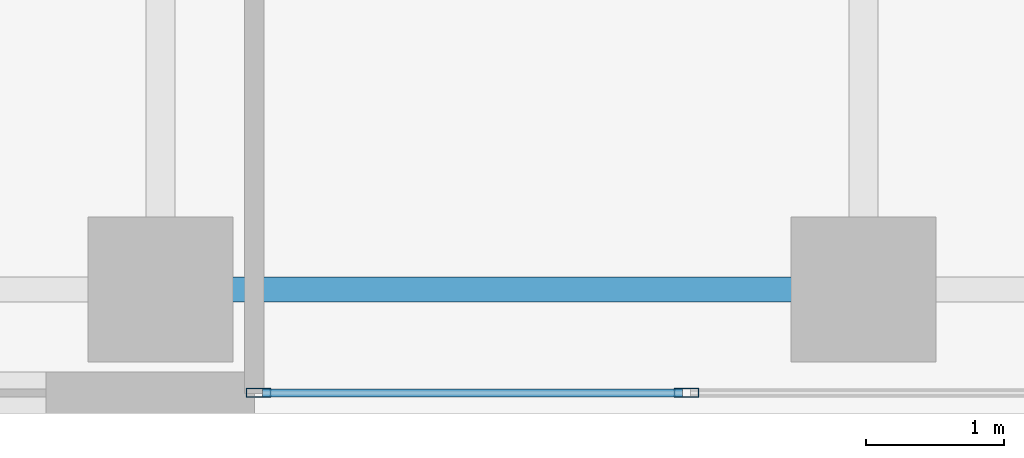
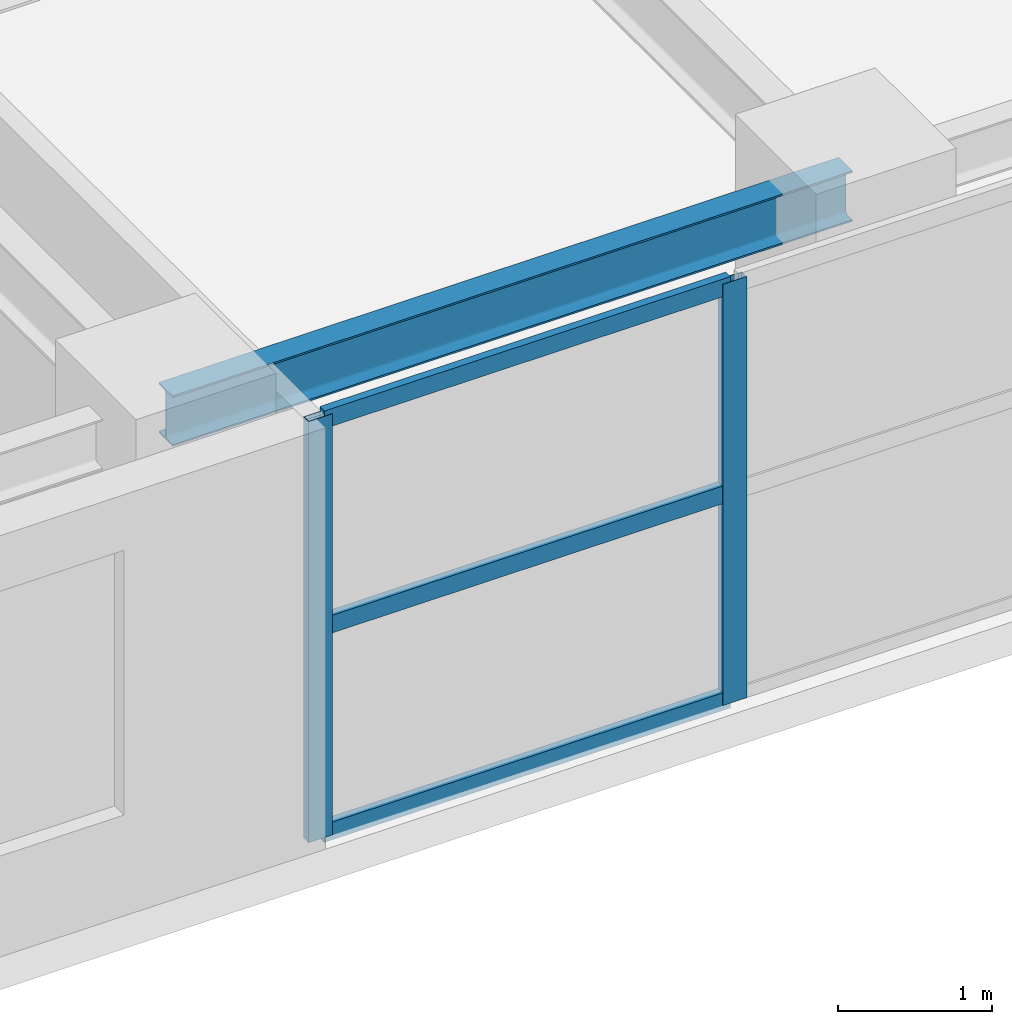
# One storey, part 2 of 18: 5 members, 1 beam, 1 element without a shape of its own.
"""IFC4 building model written with IfcOpenShell, lengths in metres."""

from ifc_helpers import new_model, si_unit, direction, frame, origin, origin_2d, place, context, subcontext, project, spatial, hollow_rectangle, i_section, extrude, source, transform, mapped, material, layer, layer_set, material_profile, profile_set, type_object, element, aggregate, save


model = new_model("IFC4")

# Units and contexts
model_context = context("Model", 3, precision=1e-05, world=origin(), true_north=direction((0.0, 1.0)))
body_context = subcontext(model_context, "Body", "Model", "MODEL_VIEW")
ifc_project = project(units=[si_unit("LENGTHUNIT", "METRE"), si_unit("AREAUNIT", "SQUARE_METRE"), si_unit("VOLUMEUNIT", "CUBIC_METRE"), si_unit("PLANEANGLEUNIT", "RADIAN"), si_unit("MASSUNIT", "GRAM", prefix="KILO")], contexts=[model_context])

# Site, building, storey
site_placement = place(None, origin())
site = spatial("IfcSite", under=ifc_project, at=site_placement, CompositionType="ELEMENT")
building_placement = place(site_placement, origin())
building = spatial("IfcBuilding", under=site, at=building_placement, Name="Khoralis Quay Care Tower", CompositionType="ELEMENT")
storey_placement = place(building_placement, frame((0.0, 0.0, 130.5)))
storey = spatial("IfcBuildingStorey", under=building, at=storey_placement, Name="L34", CompositionType="ELEMENT", Elevation=130.5)

# Beam
ifc_material_1 = material(Name="Steel S355", Category="steel")
ifc_material_profile_1 = material_profile(ifc_material_1, i_section(OverallWidth=0.179931640625, OverallDepth=0.39990234375, WebThickness=0.008544921875, FlangeThickness=0.013427734375, FilletRadius=0.02099609375, at=origin_2d()), Name="Steel S355")
ifc_profile_set_1 = profile_set([ifc_material_profile_1], Name="Steel S355")
beam_type = type_object("IfcBeamType", Name="BM-IPE400", PredefinedType="SPANDREL", material=ifc_profile_set_1)
shared_shape_1 = source(origin(), body_context, "Body", "SweptSolid", [
    extrude(i_section(OverallWidth=0.179931640625, OverallDepth=0.39990234375, WebThickness=0.008544921875, FlangeThickness=0.013427734375, FilletRadius=0.02099609375, at=origin_2d()), origin(), (0.0, 0.0, 1.0), 5.10009765625),
])
beam_placement = place(storey_placement, frame((12.0, 0.89990234375, 3.139892578125), z_axis=(1.0, 0.0, 0.0), x_axis=(0.0, 1.0, 0.0)))
element("IfcBeam", 1, at=beam_placement, inside=storey, type_object=beam_type, Name="BM-TSP-L34-02", PredefinedType="SPANDREL", context=body_context, shape_type="MappedRepresentation", body=[
    mapped(shared_shape_1, transform((0.0, 0.0, 0.0), scale=1.0)),
])

# Curtain wall, members
ifc_material_2 = material(Name="Pale anodised aluminium", Category="aluminium")
ifc_layer = layer(ifc_material_2, 0.169921875)
ifc_layer_set = layer_set([ifc_layer], Name="Pale anodised aluminium")
curtain_wall_type = type_object("IfcCurtainWallType", Name="CW-SYS-Z2", PredefinedType="NOTDEFINED", material=ifc_layer_set)
curtain_wall_placement = place(storey_placement, origin())
curtain_wall = element("IfcCurtainWall", 2, at=curtain_wall_placement, inside=storey, type_object=curtain_wall_type, Name="L34 Unitised Curtain Wall CW-L34-P1-E0", PredefinedType="NOTDEFINED")
ifc_material_profile_2 = material_profile(ifc_material_2, hollow_rectangle(XDim=0.06494140625, YDim=0.179931640625, WallThickness=0.00390625, at=origin_2d()), Name="Pale anodised aluminium")
ifc_profile_set_2 = profile_set([ifc_material_profile_2], Name="Pale anodised aluminium")
member_type_1 = type_object("IfcMemberType", Name="CW-MUL-180", PredefinedType="MULLION", material=ifc_profile_set_2)
shared_shape_2 = source(origin(), body_context, "Body", "SweptSolid", [
    extrude(hollow_rectangle(XDim=0.06494140625, YDim=0.179931640625, WallThickness=0.00390625, at=origin_2d()), origin(), (0.0, 0.0, 1.0), 3.340087890625),
])
member_1_placement = place(storey_placement, frame((12.7099609375, 0.14990234375, 0.0), z_axis=(0.0, 0.0, 1.0), x_axis=(0.0, 1.0, 0.0)))
member_1 = element("IfcMember", 3, at=member_1_placement, type_object=member_type_1, Name="CW2 mullion 1", PredefinedType="MULLION", context=body_context, shape_type="MappedRepresentation", body=[
    mapped(shared_shape_2, transform((0.0, 0.0, 0.0), scale=1.0)),
])
member_2_placement = place(storey_placement, frame((15.816650390625, 0.14990234375, 0.0), z_axis=(0.0, 0.0, 1.0), x_axis=(0.0, 1.0, 0.0)))
member_2 = element("IfcMember", 4, at=member_2_placement, type_object=member_type_1, Name="CW2 mullion 2", PredefinedType="MULLION", context=body_context, shape_type="MappedRepresentation", body=[
    mapped(shared_shape_2, transform((0.0, 0.0, 0.0), scale=1.0)),
])
ifc_material_profile_3 = material_profile(ifc_material_2, hollow_rectangle(XDim=0.06005859375, YDim=0.139892578125, WallThickness=0.00390625, at=origin_2d()), Name="Pale anodised aluminium")
ifc_profile_set_3 = profile_set([ifc_material_profile_3], Name="Pale anodised aluminium")
member_type_2 = type_object("IfcMemberType", Name="CW-TRN-140", PredefinedType="USERDEFINED", material=ifc_profile_set_3)
shared_shape_3 = source(origin(), body_context, "Body", "SweptSolid", [
    extrude(hollow_rectangle(XDim=0.06005859375, YDim=0.139892578125, WallThickness=0.00390625, at=origin_2d()), origin(), (0.0, 0.0, 1.0), 3.046630859375),
])
member_3_placement = place(storey_placement, frame((12.739990234375, 0.14990234375, 0.030029296875), z_axis=(1.0, 0.0, 0.0), x_axis=(0.0, 1.0, 0.0)))
member_3 = element("IfcMember", 5, at=member_3_placement, type_object=member_type_2, Name="CW2 transom 1.1", ObjectType="TRANSOM", PredefinedType="USERDEFINED", context=body_context, shape_type="MappedRepresentation", body=[
    mapped(shared_shape_3, transform((0.0, 0.0, 0.0), scale=1.0)),
])
member_4_placement = place(storey_placement, frame((12.739990234375, 0.14990234375, 1.669921875), z_axis=(1.0, 0.0, 0.0), x_axis=(0.0, 1.0, 0.0)))
member_4 = element("IfcMember", 6, at=member_4_placement, type_object=member_type_2, Name="CW2 transom 1.2", ObjectType="TRANSOM", PredefinedType="USERDEFINED", context=body_context, shape_type="MappedRepresentation", body=[
    mapped(shared_shape_3, transform((0.0, 0.0, 0.0), scale=1.0)),
])
member_5_placement = place(storey_placement, frame((12.739990234375, 0.14990234375, 3.31005859375), z_axis=(1.0, 0.0, 0.0), x_axis=(0.0, 1.0, 0.0)))
member_5 = element("IfcMember", 7, at=member_5_placement, type_object=member_type_2, Name="CW2 transom 1.3", ObjectType="TRANSOM", PredefinedType="USERDEFINED", context=body_context, shape_type="MappedRepresentation", body=[
    mapped(shared_shape_3, transform((0.0, 0.0, 0.0), scale=1.0)),
])
aggregate(curtain_wall, [member_1, member_2, member_3, member_4, member_5])

save(model, "model.ifc")
